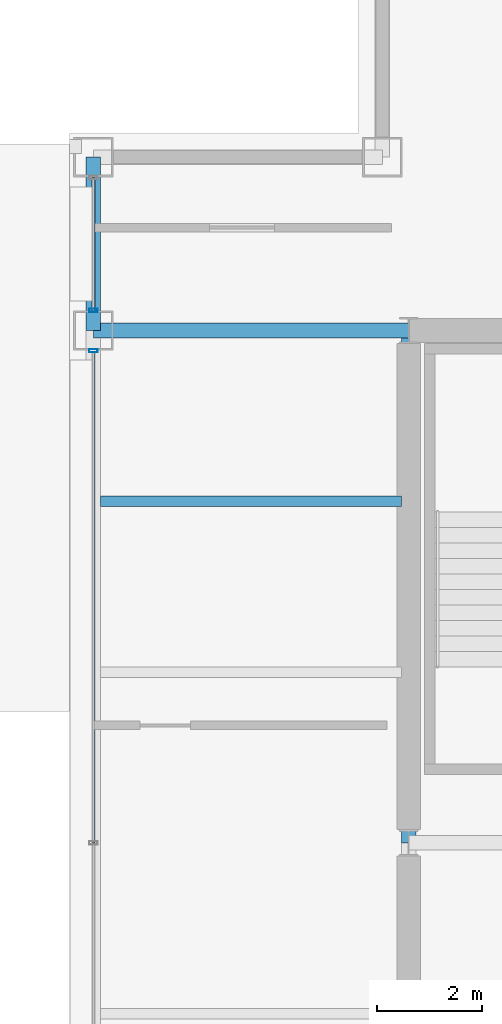
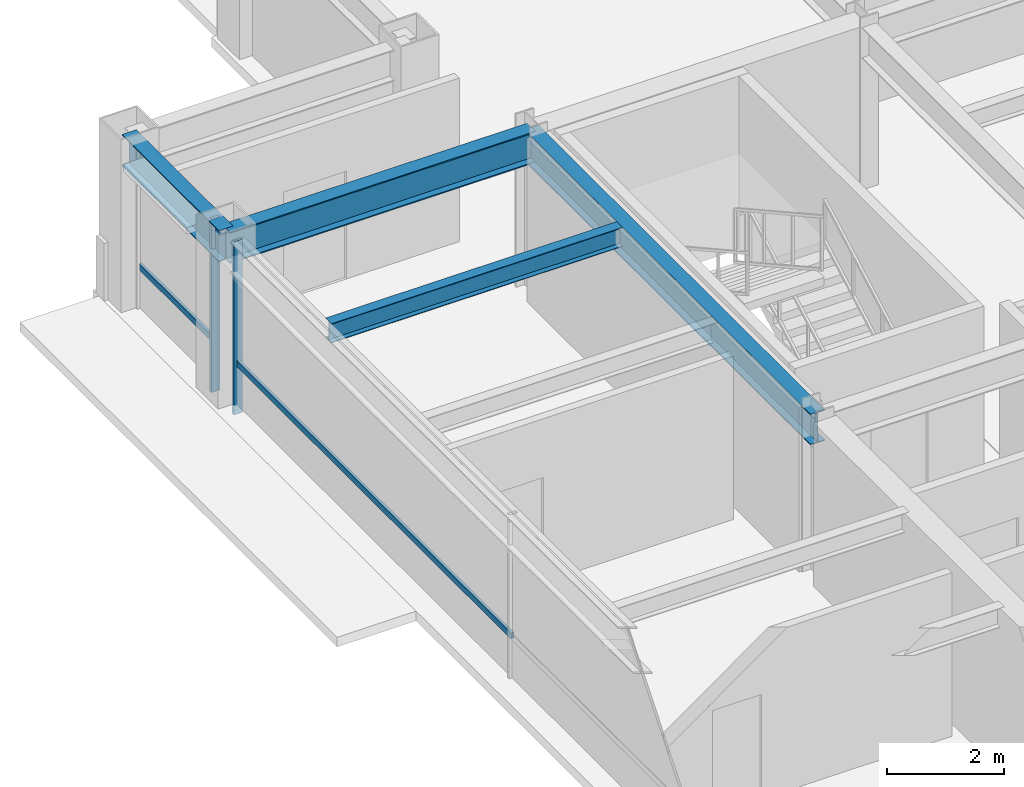
# One storey, part 9 of 26: 4 beams, 4 members, 2 elements without a shape of their own.
"""IFC4 building model written with IfcOpenShell, lengths in metres."""

from ifc_helpers import new_model, si_unit, direction, frame, origin, origin_2d, place, context, subcontext, project, spatial, hollow_rectangle, i_section, extrude, material, layer, layer_set, material_profile, profile_set, type_object, element, aggregate, save


model = new_model("IFC4")

# Units and contexts
model_context = context("Model", 3, precision=1e-05, world=origin(), true_north=direction((0.0, 1.0)))
body_context = subcontext(model_context, "Body", "Model", "MODEL_VIEW")
ifc_project = project(units=[si_unit("LENGTHUNIT", "METRE"), si_unit("AREAUNIT", "SQUARE_METRE"), si_unit("VOLUMEUNIT", "CUBIC_METRE"), si_unit("PLANEANGLEUNIT", "RADIAN"), si_unit("MASSUNIT", "GRAM", prefix="KILO")], contexts=[model_context])

# Site, building, storey
site_placement = place(None, origin())
site = spatial("IfcSite", under=ifc_project, at=site_placement, CompositionType="ELEMENT")
building_placement = place(site_placement, origin())
building = spatial("IfcBuilding", under=site, at=building_placement, Name="Brelmoor Portico Tower", CompositionType="ELEMENT")
storey_placement = place(building_placement, frame((0.0, 0.0, 180.300048828125)))
storey = spatial("IfcBuildingStorey", under=building, at=storey_placement, Name="L47", CompositionType="ELEMENT", Elevation=180.300048828125)

# Beams
ifc_material_1 = material(Name="Steel Q355B", Category="steel")
ifc_material_profile_1 = material_profile(ifc_material_1, i_section(OverallWidth=0.199951171875, OverallDepth=0.39990234375, WebThickness=0.008056640625, FlangeThickness=0.012939453125, at=origin_2d()), Name="HN 400x200x8x13")
ifc_profile_set_1 = profile_set([ifc_material_profile_1], Name="Steel Q355B")
beam_type_1 = type_object("IfcBeamType", Name="BM-JS-400", PredefinedType="JOIST", material=ifc_profile_set_1)
beam_1_placement = place(storey_placement, frame((-20.409912109375, 6.5, 3.199951171875), z_axis=(1.0, 0.0, 0.0), x_axis=(0.0, 1.0, 0.0)))
element("IfcBeam", 1, at=beam_1_placement, inside=storey, type_object=beam_type_1, Name="L47 Secondary Wing Joist JS-W08", PredefinedType="JOIST", context=body_context, shape_type="SweptSolid", body=[
    extrude(i_section(OverallWidth=0.199951171875, OverallDepth=0.39990234375, WebThickness=0.008056640625, FlangeThickness=0.012939453125, at=origin_2d()), origin(), (0.0, 0.0, 1.0), 5.719970703125),
])
ifc_material_profile_2 = material_profile(ifc_material_1, i_section(OverallWidth=0.280029296875, OverallDepth=0.64990234375, WebThickness=0.012939453125, FlangeThickness=0.02197265625, at=origin_2d()), Name="HN 650x280x13x22")
ifc_profile_set_2 = profile_set([ifc_material_profile_2], Name="Steel Q355B")
beam_type_2 = type_object("IfcBeamType", Name="BM-PG-650", PredefinedType="BEAM", material=ifc_profile_set_2)
beam_2_placement = place(storey_placement, frame((-14.550048828125, 0.0, 3.074951171875), z_axis=(0.0, 1.0, 0.0), x_axis=(-1.0, 0.0, 0.0)))
element("IfcBeam", 2, at=beam_2_placement, inside=storey, type_object=beam_type_2, Name="L47 Primary Floor Girder PG-02", PredefinedType="BEAM", context=body_context, shape_type="SweptSolid", body=[
    extrude(i_section(OverallWidth=0.280029296875, OverallDepth=0.64990234375, WebThickness=0.012939453125, FlangeThickness=0.02197265625, at=origin_2d()), origin(), (0.0, 0.0, 1.0), 9.75),
])
beam_3_placement = place(storey_placement, frame((-20.550048828125, 9.75, 3.074951171875), z_axis=(1.0, 0.0, 0.0), x_axis=(0.0, 1.0, 0.0)))
element("IfcBeam", 3, at=beam_3_placement, inside=storey, type_object=beam_type_2, Name="L47 Primary Floor Girder PG-19", PredefinedType="BEAM", context=body_context, shape_type="SweptSolid", body=[
    extrude(i_section(OverallWidth=0.280029296875, OverallDepth=0.64990234375, WebThickness=0.012939453125, FlangeThickness=0.02197265625, at=origin_2d()), origin(), (0.0, 0.0, 1.0), 6.0),
])
ifc_material_profile_3 = material_profile(ifc_material_1, i_section(OverallWidth=0.280029296875, OverallDepth=0.64990234375, WebThickness=0.012939453125, FlangeThickness=0.02197265625, at=origin_2d()), Name="HN 650x280x13x22")
ifc_profile_set_3 = profile_set([ifc_material_profile_3], Name="Steel Q355B")
beam_type_3 = type_object("IfcBeamType", Name="BM-SP-650", PredefinedType="SPANDREL", material=ifc_profile_set_3)
beam_4_placement = place(storey_placement, frame((-20.550048828125, 9.75, 3.074951171875), z_axis=(0.0, 1.0, 0.0), x_axis=(-1.0, 0.0, 0.0)))
element("IfcBeam", 4, at=beam_4_placement, inside=storey, type_object=beam_type_3, Name="L47 Perimeter Spandrel Beam SP-13", PredefinedType="SPANDREL", context=body_context, shape_type="SweptSolid", body=[
    extrude(i_section(OverallWidth=0.280029296875, OverallDepth=0.64990234375, WebThickness=0.012939453125, FlangeThickness=0.02197265625, at=origin_2d()), origin(), (0.0, 0.0, 1.0), 3.300048828125),
])

# Curtain wall, member
ifc_material_2 = material(Name="Anodised Aluminium Alloy 6063-T6", Category="aluminium")
ifc_layer = layer(ifc_material_2, 0.179931640625)
ifc_layer_set = layer_set([ifc_layer], Name="Anodised Aluminium Alloy 6063-T6")
curtain_wall_type = type_object("IfcCurtainWallType", Name="CW-TOWER-Z3", PredefinedType="NOTDEFINED", material=ifc_layer_set)
curtain_wall_1_placement = place(storey_placement, origin())
curtain_wall_1 = element("IfcCurtainWall", 5, at=curtain_wall_1_placement, inside=storey, type_object=curtain_wall_type, Name="L47 Curtain Wall CW-L47-03-2", PredefinedType="NOTDEFINED")
ifc_material_profile_4 = material_profile(ifc_material_2, hollow_rectangle(XDim=0.06494140625, YDim=0.1650390625, WallThickness=0.00390625, at=origin_2d()), Name="ALU MULLION 65x165")
ifc_profile_set_4 = profile_set([ifc_material_profile_4], Name="Anodised Aluminium Alloy 6063-T6")
member_type_1 = type_object("IfcMemberType", Name="MB-CW-MULL-165", PredefinedType="MULLION", material=ifc_profile_set_4)
member_1_placement = place(storey_placement, frame((-20.550048828125, 9.364990234375, -0.199951171875), z_axis=(0.0, 0.0, 1.0), x_axis=(0.0, 1.0, 0.0)))
member_1 = element("IfcMember", 6, at=member_1_placement, type_object=member_type_1, Name="CW-L47-03-2 Mullion 02", PredefinedType="MULLION", context=body_context, shape_type="SweptSolid", body=[
    extrude(hollow_rectangle(XDim=0.06494140625, YDim=0.1650390625, WallThickness=0.00390625, at=origin_2d()), origin(), (0.0, 0.0, 1.0), 3.599853515625),
])

curtain_wall_2_placement = place(storey_placement, origin())
curtain_wall_2 = element("IfcCurtainWall", 7, at=curtain_wall_2_placement, inside=storey, type_object=curtain_wall_type, Name="L47 Curtain Wall CW-L47-03-3", PredefinedType="NOTDEFINED")
member_2_placement = place(storey_placement, frame((-20.550048828125, 10.135009765625, -0.199951171875), z_axis=(0.0, 0.0, 1.0), x_axis=(0.0, 1.0, 0.0)))
member_2 = element("IfcMember", 8, at=member_2_placement, type_object=member_type_1, Name="CW-L47-03-3 Mullion 00", PredefinedType="MULLION", context=body_context, shape_type="SweptSolid", body=[
    extrude(hollow_rectangle(XDim=0.06494140625, YDim=0.1650390625, WallThickness=0.00390625, at=origin_2d()), origin(), (0.0, 0.0, 1.0), 3.599853515625),
])

# Member
ifc_material_profile_5 = material_profile(ifc_material_2, hollow_rectangle(XDim=0.06005859375, YDim=0.125, WallThickness=0.00341796875, at=origin_2d()), Name="ALU TRANSOM 60x125")
ifc_profile_set_5 = profile_set([ifc_material_profile_5], Name="Anodised Aluminium Alloy 6063-T6")
member_type_2 = type_object("IfcMemberType", Name="MB-CW-TRAN-125", PredefinedType="USERDEFINED", material=ifc_profile_set_5)
member_3_placement = place(storey_placement, frame((-20.550048828125, 0.0, 0.849853515625), z_axis=(0.0, 1.0, 0.0), x_axis=(-1.0, 0.0, 0.0)))
member_3 = element("IfcMember", 9, at=member_3_placement, type_object=member_type_2, Name="CW-L47-03-2 Transom 1-01", ObjectType="TRANSOM", PredefinedType="USERDEFINED", context=body_context, shape_type="SweptSolid", body=[
    extrude(hollow_rectangle(XDim=0.06005859375, YDim=0.125, WallThickness=0.00341796875, at=origin_2d()), origin(), (0.0, 0.0, 1.0), 9.364990234375),
])

aggregate(curtain_wall_1, [member_1, member_3])

member_4_placement = place(storey_placement, frame((-20.550048828125, 10.135009765625, 0.849853515625), z_axis=(0.0, 1.0, 0.0), x_axis=(-1.0, 0.0, 0.0)))
member_4 = element("IfcMember", 10, at=member_4_placement, type_object=member_type_2, Name="CW-L47-03-3 Transom 1-00", ObjectType="TRANSOM", PredefinedType="USERDEFINED", context=body_context, shape_type="SweptSolid", body=[
    extrude(hollow_rectangle(XDim=0.06005859375, YDim=0.125, WallThickness=0.00341796875, at=origin_2d()), origin(), (0.0, 0.0, 1.0), 2.530029296875),
])

aggregate(curtain_wall_2, [member_2, member_4])

save(model, "model.ifc")
